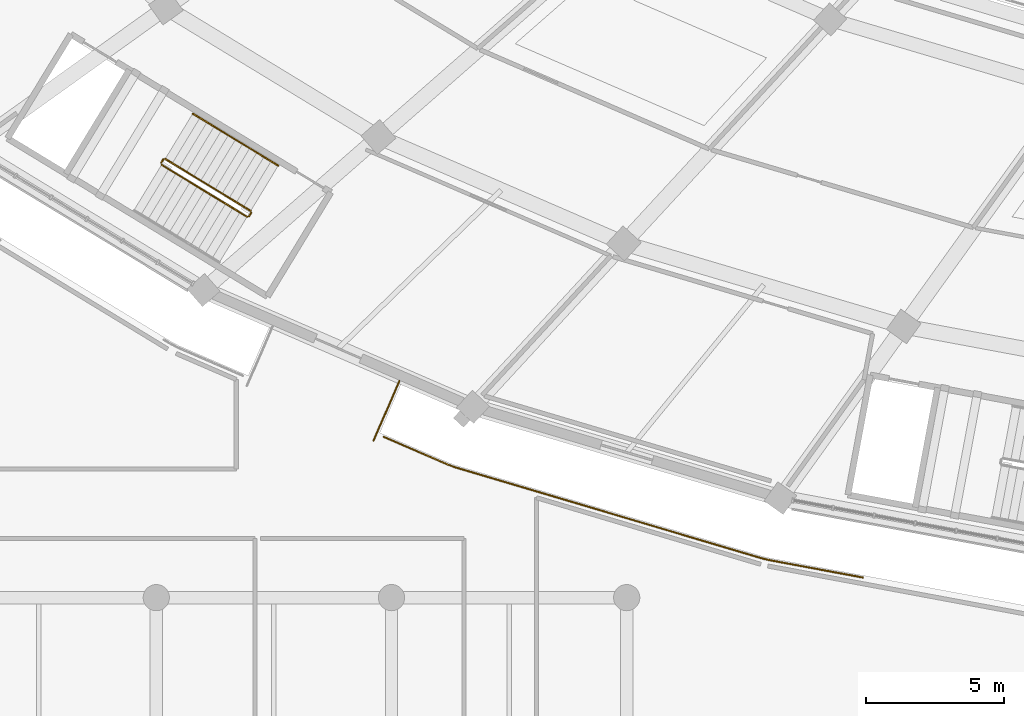
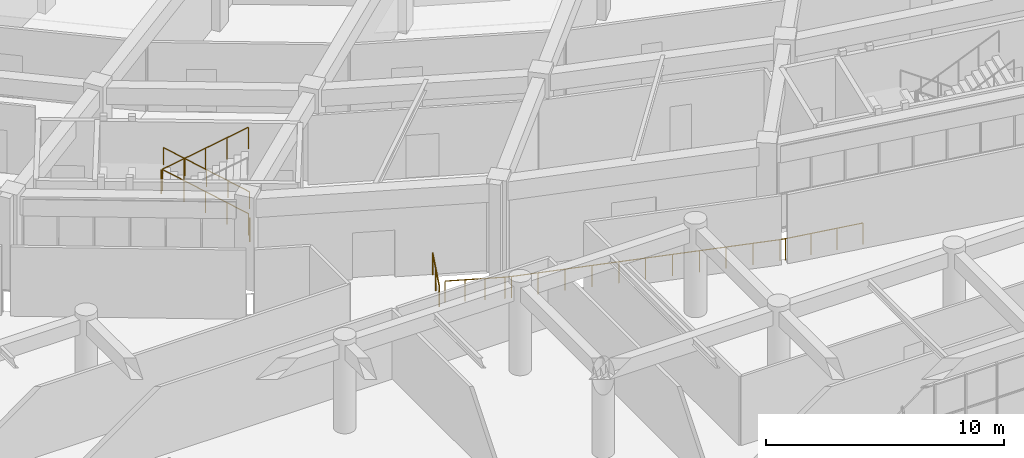
# One storey, part 121 of 152: 7 railings.
"""IFC4 building model written with IfcOpenShell, lengths in metres."""

from ifc_helpers import new_model, si_unit, direction, frame, origin, origin_2d, place, context, subcontext, project, spatial, circle, extrude, material, type_object, element, save


model = new_model("IFC4")

# Units and contexts
model_context = context("Model", 3, precision=1e-05, world=origin(), true_north=direction((0.0, 1.0)))
body_context = subcontext(model_context, "Body", "Model", "MODEL_VIEW")
ifc_project = project(units=[si_unit("LENGTHUNIT", "METRE"), si_unit("AREAUNIT", "SQUARE_METRE"), si_unit("VOLUMEUNIT", "CUBIC_METRE"), si_unit("PLANEANGLEUNIT", "RADIAN"), si_unit("MASSUNIT", "GRAM", prefix="KILO")], contexts=[model_context])

# Site, building, storey
site_placement = place(None, origin())
site = spatial("IfcSite", under=ifc_project, at=site_placement, CompositionType="ELEMENT")
building_placement = place(site_placement, origin())
building = spatial("IfcBuilding", under=site, at=building_placement, Name="Mphavela Belvedere Stadium", CompositionType="ELEMENT")
storey_placement = place(building_placement, frame((0.0, 0.0, 5.39990234375)))
storey = spatial("IfcBuildingStorey", under=building, at=storey_placement, Name="L01", CompositionType="ELEMENT", Elevation=5.39990234375)

# Railings
ifc_material_1 = material(Name="Bronze and laminated glass stadium balustrade", Category="glass")
railing_type_1 = type_object("IfcRailingType", Name="RAL-BALUSTRADE-1120", PredefinedType="BALUSTRADE", material=ifc_material_1)
railing_1_placement = place(storey_placement, frame((51.397216796875, 21.84619140625, 0.0)))
element("IfcRailing", 1, at=railing_1_placement, inside=storey, type_object=railing_type_1, Name="Colonnade link bridge balustrade L01-32B", PredefinedType="BALUSTRADE", context=body_context, shape_type="SweptSolid", body=[
    extrude(circle(Radius=0.02392578125, at=origin_2d()), frame((0.0, 0.0, 1.09619140625), z_axis=(-0.397677406785, -0.917525302176, 0.0), x_axis=(0.917525302176, -0.397677406785, 0.0)), (0.0, 0.0, 1.0), 2.35009765625),
    extrude(circle(Radius=0.02099609375, at=origin_2d()), origin(), (0.0, 0.0, 1.0), 1.072021484375),
    extrude(circle(Radius=0.02099609375, at=origin_2d()), frame((-0.46728515625, -1.078125, 0.0)), (0.0, 0.0, 1.0), 1.072021484375),
    extrude(circle(Radius=0.02099609375, at=origin_2d()), frame((-0.9345703125, -2.15625, 0.0)), (0.0, 0.0, 1.0), 1.072021484375),
])
railing_2_placement = place(storey_placement, frame((50.826904296875, 19.826416015625, 0.0)))
element("IfcRailing", 2, at=railing_2_placement, inside=storey, type_object=railing_type_1, Name="Peristyle wing gallery edge balustrade L01-03", PredefinedType="BALUSTRADE", context=body_context, shape_type="SweptSolid", body=[
    extrude(circle(Radius=0.02392578125, at=origin_2d()), frame((0.0, 0.0, 1.09619140625), z_axis=(0.917490104343, -0.397758605731, 0.0), x_axis=(0.397758605731, 0.917490104343, 0.0)), (0.0, 0.0, 1.0), 2.5380859375),
    extrude(circle(Radius=0.02392578125, at=origin_2d()), frame((2.32861328125, -1.009521484375, 1.09619140625), z_axis=(0.93961160912, -0.342242639083, 0.0), x_axis=(0.342242639083, 0.93961160912, 0.0)), (0.0, 0.0, 1.0), 0.274658203125),
    extrude(circle(Radius=0.02392578125, at=origin_2d()), frame((2.586669921875, -1.103515625, 1.09619140625), z_axis=(0.958663797484, -0.284541250776, 0.0), x_axis=(0.284541250776, 0.958663797484, 0.0)), (0.0, 0.0, 1.0), 11.61669921875),
    extrude(circle(Radius=0.02392578125, at=origin_2d()), frame((13.72314453125, -4.408935546875, 1.09619140625), z_axis=(0.972275475429, -0.233838405483, 0.0), x_axis=(0.233838405483, 0.972275475429, 0.0)), (0.0, 0.0, 1.0), 0.238037109375),
    extrude(circle(Radius=0.02392578125, at=origin_2d()), frame((13.95458984375, -4.464599609375, 1.09619140625), z_axis=(0.983089595219, -0.183125224291, 0.0), x_axis=(0.183125224291, 0.983089595219, 0.0)), (0.0, 0.0, 1.0), 3.459716796875),
    extrude(circle(Radius=0.02099609375, at=origin_2d()), origin(), (0.0, 0.0, 1.0), 1.072021484375),
    extrude(circle(Radius=0.02099609375, at=origin_2d()), frame((0.776123046875, -0.33642578125, 0.0)), (0.0, 0.0, 1.0), 1.072021484375),
    extrude(circle(Radius=0.02099609375, at=origin_2d()), frame((1.552490234375, -0.673095703125, 0.0)), (0.0, 0.0, 1.0), 1.072021484375),
    extrude(circle(Radius=0.02099609375, at=origin_2d()), frame((2.32861328125, -1.009521484375, 0.0)), (0.0, 0.0, 1.0), 1.072021484375),
    extrude(circle(Radius=0.02099609375, at=origin_2d()), frame((2.586669921875, -1.103515625, 0.0)), (0.0, 0.0, 1.0), 1.072021484375),
    extrude(circle(Radius=0.02099609375, at=origin_2d()), frame((3.7001953125, -1.43408203125, 0.0)), (0.0, 0.0, 1.0), 1.072021484375),
    extrude(circle(Radius=0.02099609375, at=origin_2d()), frame((4.81396484375, -1.7646484375, 0.0)), (0.0, 0.0, 1.0), 1.072021484375),
    extrude(circle(Radius=0.02099609375, at=origin_2d()), frame((5.927734375, -2.09521484375, 0.0)), (0.0, 0.0, 1.0), 1.072021484375),
    extrude(circle(Radius=0.02099609375, at=origin_2d()), frame((7.041259765625, -2.42578125, 0.0)), (0.0, 0.0, 1.0), 1.072021484375),
    extrude(circle(Radius=0.02099609375, at=origin_2d()), frame((8.15478515625, -2.75634765625, 0.0)), (0.0, 0.0, 1.0), 1.072021484375),
    extrude(circle(Radius=0.02099609375, at=origin_2d()), frame((9.2685546875, -3.086669921875, 0.0)), (0.0, 0.0, 1.0), 1.072021484375),
    extrude(circle(Radius=0.02099609375, at=origin_2d()), frame((10.38232421875, -3.417236328125, 0.0)), (0.0, 0.0, 1.0), 1.072021484375),
    extrude(circle(Radius=0.02099609375, at=origin_2d()), frame((11.495849609375, -3.747802734375, 0.0)), (0.0, 0.0, 1.0), 1.072021484375),
    extrude(circle(Radius=0.02099609375, at=origin_2d()), frame((12.609375, -4.078369140625, 0.0)), (0.0, 0.0, 1.0), 1.072021484375),
    extrude(circle(Radius=0.02099609375, at=origin_2d()), frame((13.72314453125, -4.408935546875, 0.0)), (0.0, 0.0, 1.0), 1.072021484375),
    extrude(circle(Radius=0.02099609375, at=origin_2d()), frame((13.95458984375, -4.464599609375, 0.0)), (0.0, 0.0, 1.0), 1.072021484375),
    extrude(circle(Radius=0.02099609375, at=origin_2d()), frame((15.08837890625, -4.67578125, 0.0)), (0.0, 0.0, 1.0), 1.072021484375),
    extrude(circle(Radius=0.02099609375, at=origin_2d()), frame((16.221923828125, -4.886962890625, 0.0)), (0.0, 0.0, 1.0), 1.072021484375),
    extrude(circle(Radius=0.02099609375, at=origin_2d()), frame((17.355712890625, -5.09814453125, 0.0)), (0.0, 0.0, 1.0), 1.072021484375),
])
ifc_material_2 = material(Name="Painted galvanised steel stair guardrail", Category="steel")
railing_type_2 = type_object("IfcRailingType", Name="RAL-GUARD-1120", PredefinedType="GUARDRAIL", material=ifc_material_2)
railing_3_placement = place(storey_placement, frame((46.01171875, 28.00634765625, 0.184814453125)))
element("IfcRailing", 3, at=railing_3_placement, inside=storey, type_object=railing_type_2, Name="L01 ST-C10 stair guard 1", PredefinedType="GUARDRAIL", context=body_context, shape_type="SweptSolid", body=[
    extrude(circle(Radius=0.02392578125, at=origin_2d()), frame((0.0, 0.0, 1.09619140625), z_axis=(-0.728951227781, 0.443394556939, 0.521566270374), x_axis=(-0.519677634444, -0.854362426759, 0.0)), (0.0, 0.0, 1.0), 4.24755859375),
    extrude(circle(Radius=0.02099609375, at=origin_2d()), origin(), (0.0, 0.0, 1.0), 1.072021484375),
    extrude(circle(Radius=0.02099609375, at=origin_2d()), frame((-0.77392578125, 0.470703125, 0.5537109375)), (0.0, 0.0, 1.0), 1.072021484375),
    extrude(circle(Radius=0.02099609375, at=origin_2d()), frame((-1.548095703125, 0.941650390625, 1.107666015625)), (0.0, 0.0, 1.0), 1.072021484375),
    extrude(circle(Radius=0.02099609375, at=origin_2d()), frame((-2.322265625, 1.41259765625, 1.66162109375)), (0.0, 0.0, 1.0), 1.072021484375),
    extrude(circle(Radius=0.02099609375, at=origin_2d()), frame((-3.09619140625, 1.88330078125, 2.21533203125)), (0.0, 0.0, 1.0), 1.072021484375),
])
railing_4_placement = place(storey_placement, frame((42.8466796875, 29.873046875, 2.400146484375)))
element("IfcRailing", 4, at=railing_4_placement, inside=storey, type_object=railing_type_2, Name="L01 ST-C10 stair guard 2", PredefinedType="GUARDRAIL", context=body_context, shape_type="SweptSolid", body=[
    extrude(circle(Radius=0.02392578125, at=origin_2d()), frame((0.0, 0.0, 1.09619140625), z_axis=(-0.51927544977, -0.85460693144, 0.0), x_axis=(0.85460693144, -0.51927544977, 0.0)), (0.0, 0.0, 1.0), 0.14990234375),
    extrude(circle(Radius=0.02099609375, at=origin_2d()), origin(), (0.0, 0.0, 1.0), 1.072021484375),
    extrude(circle(Radius=0.02099609375, at=origin_2d()), frame((-0.077880859375, -0.128173828125, 0.0)), (0.0, 0.0, 1.0), 1.072021484375),
])
railing_5_placement = place(storey_placement, frame((42.78564453125, 29.676025390625, 2.584716796875)))
element("IfcRailing", 5, at=railing_5_placement, inside=storey, type_object=railing_type_2, Name="L01 ST-C10 stair guard 3", PredefinedType="GUARDRAIL", context=body_context, shape_type="SweptSolid", body=[
    extrude(circle(Radius=0.02392578125, at=origin_2d()), frame((0.0, 0.0, 1.09619140625), z_axis=(0.728951227781, -0.443394556939, 0.521566270374), x_axis=(0.519677634444, 0.854362426759, 0.0)), (0.0, 0.0, 1.0), 4.24755859375),
    extrude(circle(Radius=0.02099609375, at=origin_2d()), origin(), (0.0, 0.0, 1.0), 1.072021484375),
    extrude(circle(Radius=0.02099609375, at=origin_2d()), frame((0.77392578125, -0.470703125, 0.5537109375)), (0.0, 0.0, 1.0), 1.072021484375),
    extrude(circle(Radius=0.02099609375, at=origin_2d()), frame((1.548095703125, -0.941650390625, 1.107666015625)), (0.0, 0.0, 1.0), 1.072021484375),
    extrude(circle(Radius=0.02099609375, at=origin_2d()), frame((2.322265625, -1.41259765625, 1.66162109375)), (0.0, 0.0, 1.0), 1.072021484375),
    extrude(circle(Radius=0.02099609375, at=origin_2d()), frame((3.09619140625, -1.88330078125, 2.21533203125)), (0.0, 0.0, 1.0), 1.072021484375),
])
railing_6_placement = place(storey_placement, frame((46.028564453125, 27.937744140625, 0.0)))
element("IfcRailing", 6, at=railing_6_placement, inside=storey, type_object=railing_type_2, Name="L01 ST-C10 stair guard 4", PredefinedType="GUARDRAIL", context=body_context, shape_type="SweptSolid", body=[
    extrude(circle(Radius=0.02392578125, at=origin_2d()), frame((0.0, 0.0, 1.09619140625), z_axis=(-0.520462828118, -0.853884327381, 0.0), x_axis=(0.853884327381, -0.520462828118, 0.0)), (0.0, 0.0, 1.0), 0.150146484375),
    extrude(circle(Radius=0.02099609375, at=origin_2d()), origin(), (0.0, 0.0, 1.0), 1.072021484375),
    extrude(circle(Radius=0.02099609375, at=origin_2d()), frame((-0.078125, -0.128173828125, 0.0)), (0.0, 0.0, 1.0), 1.072021484375),
])
ifc_material_3 = material(Name="Brushed stainless steel tubular handrail", Category="steel")
railing_type_3 = type_object("IfcRailingType", Name="RAL-HANDRAIL-900", PredefinedType="HANDRAIL", material=ifc_material_3)
railing_7_placement = place(storey_placement, frame((47.009521484375, 29.646728515625, 0.184814453125)))
element("IfcRailing", 7, at=railing_7_placement, inside=storey, type_object=railing_type_3, Name="L01 ST-C10 stair handrail 1", PredefinedType="HANDRAIL", context=body_context, shape_type="SweptSolid", body=[
    extrude(circle(Radius=0.02392578125, at=origin_2d()), frame((0.0, 0.0, 0.8759765625), z_axis=(-0.728951227781, 0.443394556939, 0.521566270374), x_axis=(-0.519677634444, -0.854362426759, 0.0)), (0.0, 0.0, 1.0), 4.24755859375),
    extrude(circle(Radius=0.02099609375, at=origin_2d()), origin(), (0.0, 0.0, 1.0), 0.851806640625),
    extrude(circle(Radius=0.02099609375, at=origin_2d()), frame((-0.77392578125, 0.470703125, 0.5537109375)), (0.0, 0.0, 1.0), 0.851806640625),
    extrude(circle(Radius=0.02099609375, at=origin_2d()), frame((-1.548095703125, 0.941650390625, 1.107666015625)), (0.0, 0.0, 1.0), 0.851806640625),
    extrude(circle(Radius=0.02099609375, at=origin_2d()), frame((-2.322265625, 1.41259765625, 1.66162109375)), (0.0, 0.0, 1.0), 0.851806640625),
    extrude(circle(Radius=0.02099609375, at=origin_2d()), frame((-3.09619140625, 1.88330078125, 2.21533203125)), (0.0, 0.0, 1.0), 0.851806640625),
])

save(model, "model.ifc")
